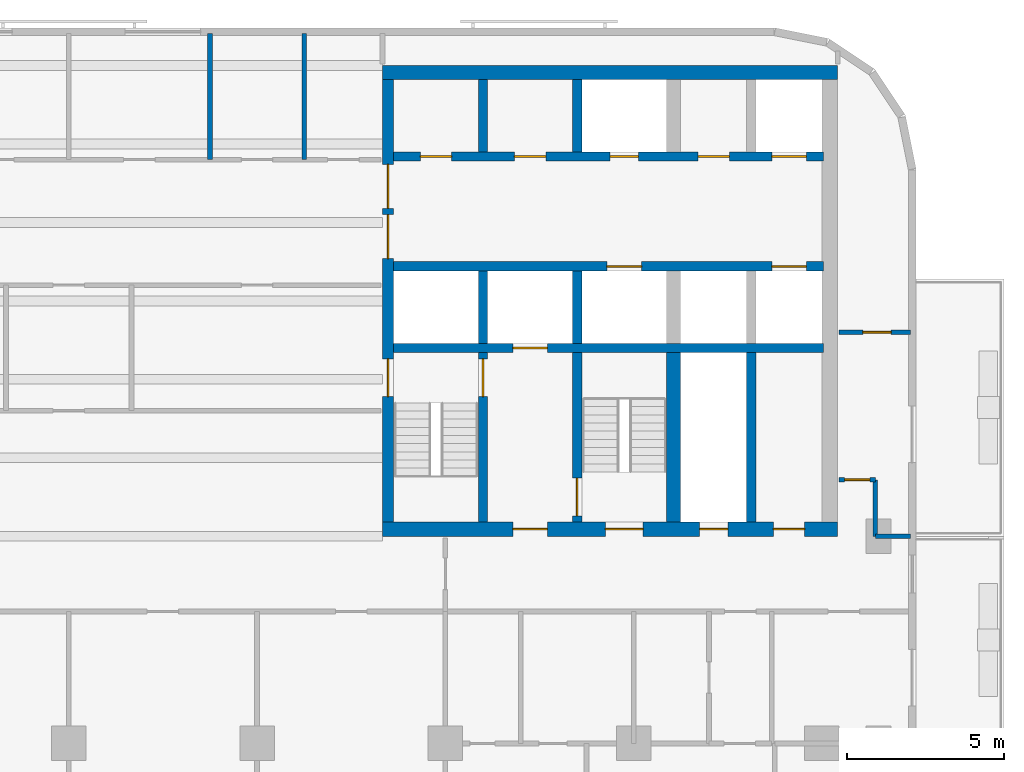
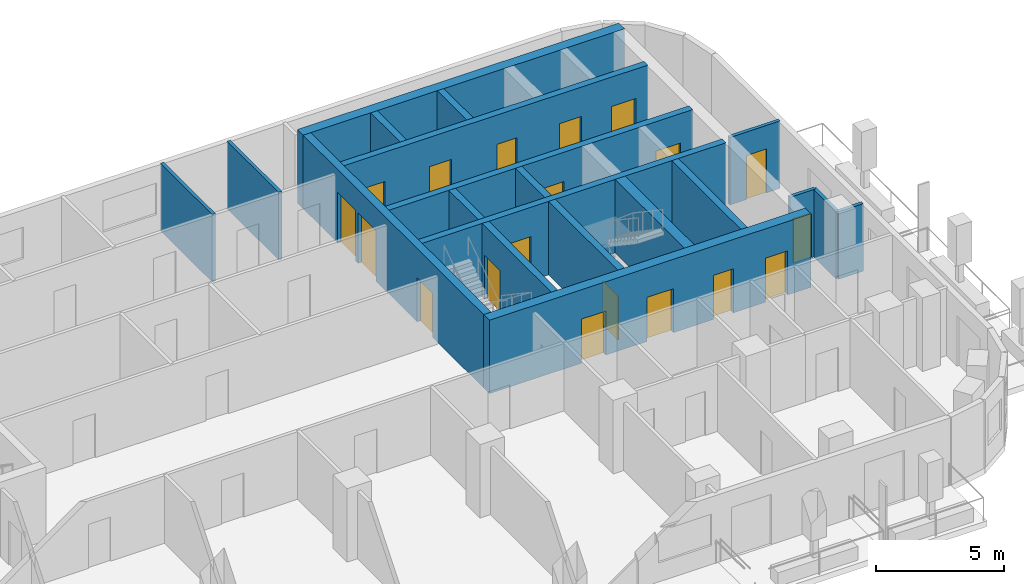
# One storey, part 6 of 11: 20 walls, 19 doors, 19 openings.
"""IFC4 building model written with IfcOpenShell, lengths in metres."""

from ifc_helpers import new_model, si_unit, direction, frame, frame_2d, origin, place, context, subcontext, project, spatial, rectangle, extrude, material, layer, layer_set, type_object, element, fill, save


model = new_model("IFC4")

# Units and contexts
model_context = context("Model", 3, precision=1e-05, world=origin(), true_north=direction((0.0, 1.0)))
body_context = subcontext(model_context, "Body", "Model", "MODEL_VIEW")
ifc_project = project(units=[si_unit("LENGTHUNIT", "METRE"), si_unit("AREAUNIT", "SQUARE_METRE"), si_unit("VOLUMEUNIT", "CUBIC_METRE"), si_unit("PLANEANGLEUNIT", "RADIAN"), si_unit("MASSUNIT", "GRAM", prefix="KILO")], contexts=[model_context])

# Site, building, storey
site_placement = place(None, origin())
site = spatial("IfcSite", under=ifc_project, at=site_placement, CompositionType="ELEMENT")
building_placement = place(site_placement, origin())
building = spatial("IfcBuilding", under=site, at=building_placement, Name="Torana Hotel and Residences", CompositionType="ELEMENT")
storey_placement = place(building_placement, frame((0.0, 0.0, 236.10009765625)))
storey = spatial("IfcBuildingStorey", under=building, at=storey_placement, Name="L62", CompositionType="ELEMENT", Elevation=236.10009765625)

# Wall, openings, doors
ifc_material_1 = material(Name="Concrete C70/85", Category="concrete")
ifc_layer_1 = layer(ifc_material_1, 0.300048828125)
ifc_layer_set_1 = layer_set([ifc_layer_1], Name="CORE WALL 300 C70/85")
wall_type_1 = type_object("IfcWallType", Name="CORE WALL 300 C70/85", PredefinedType="SHEAR", material=ifc_layer_set_1)
wall_1_placement = place(storey_placement, frame((10.35009765625, -2.89990234375, 0.0), z_axis=(0.0, 0.0, 1.0), x_axis=(1.0, 0.0, 0.0)))
wall_1 = element("IfcWall", 1, at=wall_1_placement, inside=storey, type_object=wall_type_1, Name="Core wall E row-N", PredefinedType="SHEAR", context=body_context, shape_type="SweptSolid", body=[
    extrude(rectangle(XDim=13.699951171875, YDim=0.300048828125, at=frame_2d((6.85009765625, 0.0))), origin(), (0.0, 0.0, 1.0), 3.5),
])
opening_1_placement = place(wall_1_placement, frame((12.050048828125, 0.0, 0.0)))
opening_1 = element("IfcOpeningElement", 2, at=opening_1_placement, cuts=wall_1, Name="Opening LD", PredefinedType="OPENING", context=body_context, shape_type="SweptSolid", body=[
    extrude(rectangle(XDim=1.10009765625, YDim=2.10009765625, at=frame_2d((0.550048828125, 1.050048828125))), frame((0.0, 0.159912109375, 0.0), z_axis=(0.0, -1.0, 0.0), x_axis=(1.0, 0.0, 0.0)), (0.0, 0.0, 1.0), 0.320068359375),
])
opening_2_placement = place(wall_1_placement, frame((6.89990234375, 0.0, 0.0)))
opening_2 = element("IfcOpeningElement", 3, at=opening_2_placement, cuts=wall_1, Name="Opening L62-21", PredefinedType="OPENING", context=body_context, shape_type="SweptSolid", body=[
    extrude(rectangle(XDim=0.89990234375, YDim=2.10009765625, at=frame_2d((0.449951171875, 1.050048828125))), frame((0.0, 0.159912109375, 0.0), z_axis=(0.0, -1.0, 0.0), x_axis=(1.0, 0.0, 0.0)), (0.0, 0.0, 1.0), 0.320068359375),
])
opening_3_placement = place(wall_1_placement, frame((0.85009765625, 0.0, 0.0)))
opening_3 = element("IfcOpeningElement", 4, at=opening_3_placement, cuts=wall_1, Name="Opening L62-22", PredefinedType="OPENING", context=body_context, shape_type="SweptSolid", body=[
    extrude(rectangle(XDim=1.0, YDim=2.10009765625, at=frame_2d((0.5, 1.050048828125))), frame((0.0, 0.159912109375, 0.0), z_axis=(0.0, -1.0, 0.0), x_axis=(1.0, 0.0, 0.0)), (0.0, 0.0, 1.0), 0.320068359375),
])
opening_4_placement = place(wall_1_placement, frame((3.85009765625, 0.0, 0.0)))
opening_4 = element("IfcOpeningElement", 5, at=opening_4_placement, cuts=wall_1, Name="Opening L62-23", PredefinedType="OPENING", context=body_context, shape_type="SweptSolid", body=[
    extrude(rectangle(XDim=1.0, YDim=2.10009765625, at=frame_2d((0.5, 1.050048828125))), frame((0.0, 0.159912109375, 0.0), z_axis=(0.0, -1.0, 0.0), x_axis=(1.0, 0.0, 0.0)), (0.0, 0.0, 1.0), 0.320068359375),
])
opening_5_placement = place(wall_1_placement, frame((9.699951171875, 0.0, 0.0)))
opening_5 = element("IfcOpeningElement", 6, at=opening_5_placement, cuts=wall_1, Name="Opening L62-24", PredefinedType="OPENING", context=body_context, shape_type="SweptSolid", body=[
    extrude(rectangle(XDim=1.0, YDim=2.10009765625, at=frame_2d((0.5, 1.050048828125))), frame((0.0, 0.159912109375, 0.0), z_axis=(0.0, -1.0, 0.0), x_axis=(1.0, 0.0, 0.0)), (0.0, 0.0, 1.0), 0.320068359375),
])
ifc_material_2 = material(Name="Steel S235", Category="steel")
door_type_1 = type_object("IfcDoorType", Name="CORE ROOM FIRE DOOR D14 1000x2100", OperationType="SINGLE_SWING_LEFT", PredefinedType="DOOR", material=ifc_material_2)
door_1_placement = place(opening_3_placement, origin())
door_1 = element("IfcDoor", 7, at=door_1_placement, inside=storey, type_object=door_type_1, Name="N0 door L62", OperationType="SINGLE_SWING_RIGHT", OverallHeight=2.10009765625, OverallWidth=1.0, PredefinedType="DOOR", context=body_context, shape_type="SweptSolid", body=[
    extrude(rectangle(XDim=1.0, YDim=2.10009765625, at=frame_2d((0.5, 1.050048828125))), frame((0.0, 0.02490234375, 0.0), z_axis=(0.0, -1.0, 0.0), x_axis=(1.0, 0.0, 0.0)), (0.0, 0.0, 1.0), 0.050048828125),
])
fill(opening_3, door_1)
door_2_placement = place(opening_4_placement, origin())
door_2 = element("IfcDoor", 8, at=door_2_placement, inside=storey, type_object=door_type_1, Name="N1 door L62", OperationType="SINGLE_SWING_RIGHT", OverallHeight=2.10009765625, OverallWidth=1.0, PredefinedType="DOOR", context=body_context, shape_type="SweptSolid", body=[
    extrude(rectangle(XDim=1.0, YDim=2.10009765625, at=frame_2d((0.5, 1.050048828125))), frame((0.0, 0.02490234375, 0.0), z_axis=(0.0, -1.0, 0.0), x_axis=(1.0, 0.0, 0.0)), (0.0, 0.0, 1.0), 0.050048828125),
])
fill(opening_4, door_2)
door_3_placement = place(opening_5_placement, origin())
door_3 = element("IfcDoor", 9, at=door_3_placement, inside=storey, type_object=door_type_1, Name="Freed-S2 door L62", OperationType="SINGLE_SWING_RIGHT", OverallHeight=2.10009765625, OverallWidth=1.0, PredefinedType="DOOR", context=body_context, shape_type="SweptSolid", body=[
    extrude(rectangle(XDim=1.0, YDim=2.10009765625, at=frame_2d((0.5, 1.050048828125))), frame((0.0, 0.02490234375, 0.0), z_axis=(0.0, -1.0, 0.0), x_axis=(1.0, 0.0, 0.0)), (0.0, 0.0, 1.0), 0.050048828125),
])
fill(opening_5, door_3)
ifc_material_3 = material(Name="Stainless steel 316", Category="steel")
door_type_2 = type_object("IfcDoorType", Name="LIFT LANDING DOOR LD 1100x2100", OperationType="DOUBLE_DOOR_SLIDING", PredefinedType="USERDEFINED", material=ifc_material_3)
door_4_placement = place(opening_1_placement, origin())
door_4 = element("IfcDoor", 10, at=door_4_placement, inside=storey, type_object=door_type_2, Name="Lift landing door M3 L62", ObjectType="LIFT LANDING DOOR", OperationType="DOUBLE_DOOR_SLIDING", OverallHeight=2.10009765625, OverallWidth=1.10009765625, PredefinedType="USERDEFINED", context=body_context, shape_type="SweptSolid", body=[
    extrude(rectangle(XDim=1.10009765625, YDim=2.10009765625, at=frame_2d((0.550048828125, 1.050048828125))), frame((0.0, 0.02490234375, 0.0), z_axis=(0.0, -1.0, 0.0), x_axis=(1.0, 0.0, 0.0)), (0.0, 0.0, 1.0), 0.050048828125),
])
fill(opening_1, door_4)
ifc_material_4 = material(Name="Steel S235", Category="steel")
door_type_3 = type_object("IfcDoorType", Name="RISER ACCESS DOOR D5 900x2100", OperationType="SINGLE_SWING_LEFT", PredefinedType="DOOR", material=ifc_material_4)
door_5_placement = place(opening_2_placement, origin())
door_5 = element("IfcDoor", 11, at=door_5_placement, inside=storey, type_object=door_type_3, Name="N2 door L62", OperationType="SINGLE_SWING_RIGHT", OverallHeight=2.10009765625, OverallWidth=0.89990234375, PredefinedType="DOOR", context=body_context, shape_type="SweptSolid", body=[
    extrude(rectangle(XDim=0.89990234375, YDim=2.10009765625, at=frame_2d((0.449951171875, 1.050048828125))), frame((0.0, 0.02490234375, 0.0), z_axis=(0.0, -1.0, 0.0), x_axis=(1.0, 0.0, 0.0)), (0.0, 0.0, 1.0), 0.050048828125),
])
fill(opening_2, door_5)

wall_2_placement = place(storey_placement, frame((10.35009765625, -6.39990234375, 0.0), z_axis=(0.0, 0.0, 1.0), x_axis=(1.0, 0.0, 0.0)))
wall_2 = element("IfcWall", 12, at=wall_2_placement, inside=storey, type_object=wall_type_1, Name="Core wall E row-S", PredefinedType="SHEAR", context=body_context, shape_type="SweptSolid", body=[
    extrude(rectangle(XDim=13.699951171875, YDim=0.300048828125, at=frame_2d((6.85009765625, 0.0))), origin(), (0.0, 0.0, 1.0), 3.5),
])
opening_6_placement = place(wall_2_placement, frame((12.050048828125, 0.0, 0.0)))
opening_6 = element("IfcOpeningElement", 13, at=opening_6_placement, cuts=wall_2, Name="Opening LD", PredefinedType="OPENING", context=body_context, shape_type="SweptSolid", body=[
    extrude(rectangle(XDim=1.10009765625, YDim=2.10009765625, at=frame_2d((0.550048828125, 1.050048828125))), frame((0.0, 0.159912109375, 0.0), z_axis=(0.0, -1.0, 0.0), x_axis=(1.0, 0.0, 0.0)), (0.0, 0.0, 1.0), 0.320068359375),
])
opening_7_placement = place(wall_2_placement, frame((6.800048828125, 0.0, 0.0)))
opening_7 = element("IfcOpeningElement", 14, at=opening_7_placement, cuts=wall_2, Name="Opening LD", PredefinedType="OPENING", context=body_context, shape_type="SweptSolid", body=[
    extrude(rectangle(XDim=1.10009765625, YDim=2.10009765625, at=frame_2d((0.550048828125, 1.050048828125))), frame((0.0, 0.159912109375, 0.0), z_axis=(0.0, -1.0, 0.0), x_axis=(1.0, 0.0, 0.0)), (0.0, 0.0, 1.0), 0.320068359375),
])
door_6_placement = place(opening_6_placement, origin())
door_6 = element("IfcDoor", 15, at=door_6_placement, inside=storey, type_object=door_type_2, Name="Lift landing door M4 L62", ObjectType="LIFT LANDING DOOR", OperationType="DOUBLE_DOOR_SLIDING", OverallHeight=2.10009765625, OverallWidth=1.10009765625, PredefinedType="USERDEFINED", context=body_context, shape_type="SweptSolid", body=[
    extrude(rectangle(XDim=1.10009765625, YDim=2.10009765625, at=frame_2d((0.550048828125, 1.050048828125))), frame((0.0, 0.02490234375, 0.0), z_axis=(0.0, -1.0, 0.0), x_axis=(1.0, 0.0, 0.0)), (0.0, 0.0, 1.0), 0.050048828125),
])
fill(opening_6, door_6)
door_7_placement = place(opening_7_placement, origin())
door_7 = element("IfcDoor", 16, at=door_7_placement, inside=storey, type_object=door_type_2, Name="Lift landing door SV2 L62", ObjectType="LIFT LANDING DOOR", OperationType="DOUBLE_DOOR_SLIDING", OverallHeight=2.10009765625, OverallWidth=1.10009765625, PredefinedType="USERDEFINED", context=body_context, shape_type="SweptSolid", body=[
    extrude(rectangle(XDim=1.10009765625, YDim=2.10009765625, at=frame_2d((0.550048828125, 1.050048828125))), frame((0.0, 0.02490234375, 0.0), z_axis=(0.0, -1.0, 0.0), x_axis=(1.0, 0.0, 0.0)), (0.0, 0.0, 1.0), 0.050048828125),
])
fill(opening_7, door_7)

# Wall, opening, door
wall_3_placement = place(storey_placement, frame((10.35009765625, -9.0, 0.0), z_axis=(0.0, 0.0, 1.0), x_axis=(1.0, 0.0, 0.0)))
wall_3 = element("IfcWall", 17, at=wall_3_placement, inside=storey, type_object=wall_type_1, Name="Core wall E band", PredefinedType="SHEAR", context=body_context, shape_type="SweptSolid", body=[
    extrude(rectangle(XDim=13.699951171875, YDim=0.300048828125, at=frame_2d((6.85009765625, 0.0))), origin(), (0.0, 0.0, 1.0), 3.5),
])
opening_8_placement = place(wall_3_placement, frame((3.800048828125, 0.0, 0.0)))
opening_8 = element("IfcOpeningElement", 18, at=opening_8_placement, cuts=wall_3, Name="Opening LD", PredefinedType="OPENING", context=body_context, shape_type="SweptSolid", body=[
    extrude(rectangle(XDim=1.10009765625, YDim=2.10009765625, at=frame_2d((0.550048828125, 1.050048828125))), frame((0.0, 0.159912109375, 0.0), z_axis=(0.0, -1.0, 0.0), x_axis=(1.0, 0.0, 0.0)), (0.0, 0.0, 1.0), 0.320068359375),
])
door_8_placement = place(opening_8_placement, origin())
door_8 = element("IfcDoor", 19, at=door_8_placement, inside=storey, type_object=door_type_2, Name="Lift landing door FF2 L62", ObjectType="LIFT LANDING DOOR", OperationType="DOUBLE_DOOR_SLIDING", OverallHeight=2.10009765625, OverallWidth=1.10009765625, PredefinedType="USERDEFINED", context=body_context, shape_type="SweptSolid", body=[
    extrude(rectangle(XDim=1.10009765625, YDim=2.10009765625, at=frame_2d((0.550048828125, 1.050048828125))), frame((0.0, 0.02490234375, 0.0), z_axis=(0.0, -1.0, 0.0), x_axis=(1.0, 0.0, 0.0)), (0.0, 0.0, 1.0), 0.050048828125),
])
fill(opening_8, door_8)

# Walls
for number, where, z_axis, x_axis, name in (
    (20, (13.199951171875, -2.75, 0.0), (0.0, 0.0, 1.0), (0.0, 1.0, 0.0), "Core wall E x3.05-N"),
    (21, (13.199951171875, -8.85009765625, 0.0), (0.0, 0.0, 1.0), (0.0, 1.0, 0.0), "Core wall E x3.05-S"),
):
    element("IfcWall", number, at=place(storey_placement, frame(where, z_axis=z_axis, x_axis=x_axis)), inside=storey, type_object=wall_type_1, Name=name, PredefinedType="SHEAR", context=body_context, shape_type="SweptSolid", body=[
        extrude(rectangle(XDim=2.300048828125, YDim=0.300048828125, at=frame_2d((1.14990234375, 0.0))), origin(), (0.0, 0.0, 1.0), 3.5),
    ])

# Wall, opening, door
wall_4_placement = place(storey_placement, frame((13.199951171875, -14.550048828125, 0.0), z_axis=(0.0, 0.0, 1.0), x_axis=(0.0, 1.0, 0.0)))
wall_4 = element("IfcWall", 22, at=wall_4_placement, inside=storey, type_object=wall_type_1, Name="Core wall E x3.05-band", PredefinedType="SHEAR", context=body_context, shape_type="SweptSolid", body=[
    extrude(rectangle(XDim=5.400146484375, YDim=0.300048828125, at=frame_2d((2.7001953125, 0.0))), origin(), (0.0, 0.0, 1.0), 3.5),
])
opening_9_placement = place(wall_4_placement, frame((4.0, 0.0, 0.0)))
opening_9 = element("IfcOpeningElement", 23, at=opening_9_placement, cuts=wall_4, Name="Opening L62-25", PredefinedType="OPENING", context=body_context, shape_type="SweptSolid", body=[
    extrude(rectangle(XDim=1.199951171875, YDim=2.10009765625, at=frame_2d((0.60009765625, 1.050048828125))), frame((0.0, 0.159912109375, 0.0), z_axis=(0.0, -1.0, 0.0), x_axis=(1.0, 0.0, 0.0)), (0.0, 0.0, 1.0), 0.320068359375),
])
ifc_material_5 = material(Name="Steel S235", Category="steel")
door_type_4 = type_object("IfcDoorType", Name="STAIR FIRE DOOR D3 1200x2100", OperationType="SINGLE_SWING_LEFT", PredefinedType="DOOR", material=ifc_material_5)
door_9_placement = place(opening_9_placement, origin())
door_9 = element("IfcDoor", 24, at=door_9_placement, inside=storey, type_object=door_type_4, Name="Stair-A-lobby door L62", OperationType="SINGLE_SWING_LEFT", OverallHeight=2.10009765625, OverallWidth=1.199951171875, PredefinedType="DOOR", context=body_context, shape_type="SweptSolid", body=[
    extrude(rectangle(XDim=1.199951171875, YDim=2.10009765625, at=frame_2d((0.60009765625, 1.050048828125))), frame((0.0, 0.02490234375, 0.0), z_axis=(0.0, -1.0, 0.0), x_axis=(1.0, 0.0, 0.0)), (0.0, 0.0, 1.0), 0.050048828125),
])
fill(opening_9, door_9)

# Walls
for number, where, z_axis, x_axis, name in (
    (25, (16.199951171875, -2.75, 0.0), (0.0, 0.0, 1.0), (0.0, 1.0, 0.0), "Core wall E x6.05-N"),
    (26, (16.199951171875, -8.85009765625, 0.0), (0.0, 0.0, 1.0), (0.0, 1.0, 0.0), "Core wall E x6.05-S"),
):
    element("IfcWall", number, at=place(storey_placement, frame(where, z_axis=z_axis, x_axis=x_axis)), inside=storey, type_object=wall_type_1, Name=name, PredefinedType="SHEAR", context=body_context, shape_type="SweptSolid", body=[
        extrude(rectangle(XDim=2.300048828125, YDim=0.300048828125, at=frame_2d((1.14990234375, 0.0))), origin(), (0.0, 0.0, 1.0), 3.5),
    ])

# Wall, opening, door
wall_5_placement = place(storey_placement, frame((16.199951171875, -14.550048828125, 0.0), z_axis=(0.0, 0.0, 1.0), x_axis=(0.0, 1.0, 0.0)))
wall_5 = element("IfcWall", 27, at=wall_5_placement, inside=storey, type_object=wall_type_1, Name="Core wall E x6.05-band", PredefinedType="SHEAR", context=body_context, shape_type="SweptSolid", body=[
    extrude(rectangle(XDim=5.400146484375, YDim=0.300048828125, at=frame_2d((2.7001953125, 0.0))), origin(), (0.0, 0.0, 1.0), 3.5),
])
opening_10_placement = place(wall_5_placement, frame((0.199951171875, 0.0, 0.0)))
opening_10 = element("IfcOpeningElement", 28, at=opening_10_placement, cuts=wall_5, Name="Opening L62-26", PredefinedType="OPENING", context=body_context, shape_type="SweptSolid", body=[
    extrude(rectangle(XDim=1.199951171875, YDim=2.10009765625, at=frame_2d((0.60009765625, 1.050048828125))), frame((0.0, 0.159912109375, 0.0), z_axis=(0.0, -1.0, 0.0), x_axis=(1.0, 0.0, 0.0)), (0.0, 0.0, 1.0), 0.320068359375),
])
door_10_placement = place(opening_10_placement, frame((0.60009765625, 0.0, 0.0), z_axis=(0.0, 0.0, 1.0), x_axis=(-1.0, 0.0, 0.0)))
door_10 = element("IfcDoor", 29, at=door_10_placement, inside=storey, type_object=door_type_4, Name="Stair-B-lobby door L62", OperationType="SINGLE_SWING_LEFT", OverallHeight=2.10009765625, OverallWidth=1.199951171875, PredefinedType="DOOR", context=body_context, shape_type="SweptSolid", body=[
    extrude(rectangle(XDim=1.199951171875, YDim=2.10009765625, at=frame_2d((0.0, 1.050048828125))), frame((0.0, -0.02490234375, 0.0), z_axis=(0.0, 1.0, 0.0), x_axis=(-1.0, 0.0, 0.0)), (0.0, 0.0, 1.0), 0.050048828125),
])
fill(opening_10, door_10)

# Wall
wall_6_placement = place(storey_placement, frame((21.75, -14.550048828125, 0.0), z_axis=(0.0, 0.0, 1.0), x_axis=(0.0, 1.0, 0.0)))
element("IfcWall", 30, at=wall_6_placement, inside=storey, type_object=wall_type_1, Name="Core wall E mm-band", PredefinedType="SHEAR", context=body_context, shape_type="SweptSolid", body=[
    extrude(rectangle(XDim=5.400146484375, YDim=0.300048828125, at=frame_2d((2.7001953125, 0.0))), origin(), (0.0, 0.0, 1.0), 3.5),
])

# Wall, openings, doors
ifc_material_6 = material(Name="Concrete C70/85", Category="concrete")
ifc_layer_2 = layer(ifc_material_6, 0.35009765625)
ifc_layer_set_2 = layer_set([ifc_layer_2], Name="CORE WALL 350 C70/85")
wall_type_2 = type_object("IfcWallType", Name="CORE WALL 350 C70/85", PredefinedType="SHEAR", material=ifc_layer_set_2)
wall_7_placement = place(storey_placement, frame((10.175048828125, -14.550048828125, 0.0), z_axis=(0.0, 0.0, 1.0), x_axis=(0.0, 1.0, 0.0)))
wall_7 = element("IfcWall", 31, at=wall_7_placement, inside=storey, type_object=wall_type_2, Name="Core wall E arch", PredefinedType="SHEAR", context=body_context, shape_type="SweptSolid", body=[
    extrude(rectangle(XDim=14.10009765625, YDim=0.35009765625, at=frame_2d((7.050048828125, 0.0))), origin(), (0.0, 0.0, 1.0), 3.5),
])
opening_11_placement = place(wall_7_placement, frame((8.39990234375, 0.0, 0.0)))
opening_11 = element("IfcOpeningElement", 32, at=opening_11_placement, cuts=wall_7, Name="Opening L62-14", PredefinedType="OPENING", context=body_context, shape_type="SweptSolid", body=[
    extrude(rectangle(XDim=1.39990234375, YDim=2.39990234375, at=frame_2d((0.699951171875, 1.199951171875))), frame((0.0, 0.18505859375, 0.0), z_axis=(0.0, -1.0, 0.0), x_axis=(1.0, 0.0, 0.0)), (0.0, 0.0, 1.0), 0.3701171875),
])
opening_12_placement = place(wall_7_placement, frame((10.0, 0.0, 0.0)))
opening_12 = element("IfcOpeningElement", 33, at=opening_12_placement, cuts=wall_7, Name="Opening L62-15", PredefinedType="OPENING", context=body_context, shape_type="SweptSolid", body=[
    extrude(rectangle(XDim=1.39990234375, YDim=2.39990234375, at=frame_2d((0.699951171875, 1.199951171875))), frame((0.0, 0.18505859375, 0.0), z_axis=(0.0, -1.0, 0.0), x_axis=(1.0, 0.0, 0.0)), (0.0, 0.0, 1.0), 0.3701171875),
])
opening_13_placement = place(wall_7_placement, frame((4.0, 0.0, 0.0)))
opening_13 = element("IfcOpeningElement", 34, at=opening_13_placement, cuts=wall_7, Name="Opening L62-16", PredefinedType="OPENING", context=body_context, shape_type="SweptSolid", body=[
    extrude(rectangle(XDim=1.199951171875, YDim=2.10009765625, at=frame_2d((0.60009765625, 1.050048828125))), frame((0.0, 0.18505859375, 0.0), z_axis=(0.0, -1.0, 0.0), x_axis=(1.0, 0.0, 0.0)), (0.0, 0.0, 1.0), 0.3701171875),
])
ifc_material_7 = material(Name="Steel S235", Category="steel")
door_type_5 = type_object("IfcDoorType", Name="LOBBY FIRE DOOR D4 1400x2400", OperationType="DOUBLE_DOOR_SINGLE_SWING", PredefinedType="DOOR", material=ifc_material_7)
door_11_placement = place(opening_11_placement, origin())
door_11 = element("IfcDoor", 35, at=door_11_placement, inside=storey, type_object=door_type_5, Name="Lobby-1 door L62", OperationType="DOUBLE_DOOR_SINGLE_SWING", OverallHeight=2.39990234375, OverallWidth=1.39990234375, PredefinedType="DOOR", context=body_context, shape_type="SweptSolid", body=[
    extrude(rectangle(XDim=1.39990234375, YDim=2.39990234375, at=frame_2d((0.699951171875, 1.199951171875))), frame((0.0, 0.02490234375, 0.0), z_axis=(0.0, -1.0, 0.0), x_axis=(1.0, 0.0, 0.0)), (0.0, 0.0, 1.0), 0.050048828125),
])
fill(opening_11, door_11)
door_12_placement = place(opening_12_placement, origin())
door_12 = element("IfcDoor", 36, at=door_12_placement, inside=storey, type_object=door_type_5, Name="Lobby-2 door L62", OperationType="DOUBLE_DOOR_SINGLE_SWING", OverallHeight=2.39990234375, OverallWidth=1.39990234375, PredefinedType="DOOR", context=body_context, shape_type="SweptSolid", body=[
    extrude(rectangle(XDim=1.39990234375, YDim=2.39990234375, at=frame_2d((0.699951171875, 1.199951171875))), frame((0.0, 0.02490234375, 0.0), z_axis=(0.0, -1.0, 0.0), x_axis=(1.0, 0.0, 0.0)), (0.0, 0.0, 1.0), 0.050048828125),
])
fill(opening_12, door_12)
door_13_placement = place(opening_13_placement, frame((0.60009765625, 0.0, 0.0), z_axis=(0.0, 0.0, 1.0), x_axis=(-1.0, 0.0, 0.0)))
door_13 = element("IfcDoor", 37, at=door_13_placement, inside=storey, type_object=door_type_4, Name="Stair-A door L62", OperationType="SINGLE_SWING_RIGHT", OverallHeight=2.10009765625, OverallWidth=1.199951171875, PredefinedType="DOOR", context=body_context, shape_type="SweptSolid", body=[
    extrude(rectangle(XDim=1.199951171875, YDim=2.10009765625, at=frame_2d((0.0, 1.050048828125))), frame((0.0, -0.02490234375, 0.0), z_axis=(0.0, 1.0, 0.0), x_axis=(-1.0, 0.0, 0.0)), (0.0, 0.0, 1.0), 0.050048828125),
])
fill(opening_13, door_13)

# Wall
ifc_material_8 = material(Name="Concrete C70/85", Category="concrete")
ifc_layer_3 = layer(ifc_material_8, 0.449951171875)
ifc_layer_set_3 = layer_set([ifc_layer_3], Name="CORE WALL 450 C70/85")
wall_type_3 = type_object("IfcWallType", Name="CORE WALL 450 C70/85", PredefinedType="SHEAR", material=ifc_layer_set_3)
wall_8_placement = place(storey_placement, frame((10.0, -0.22509765625, 0.0), z_axis=(0.0, 0.0, 1.0), x_axis=(1.0, 0.0, 0.0)))
element("IfcWall", 38, at=wall_8_placement, inside=storey, type_object=wall_type_3, Name="Core wall E rear", PredefinedType="SHEAR", context=body_context, shape_type="SweptSolid", body=[
    extrude(rectangle(XDim=14.5, YDim=0.449951171875, at=frame_2d((7.25, 0.0))), origin(), (0.0, 0.0, 1.0), 3.5),
])

# Wall, openings, doors
wall_9_placement = place(storey_placement, frame((10.0, -14.77490234375, 0.0), z_axis=(0.0, 0.0, 1.0), x_axis=(1.0, 0.0, 0.0)))
wall_9 = element("IfcWall", 39, at=wall_9_placement, inside=storey, type_object=wall_type_3, Name="Core wall E front", PredefinedType="SHEAR", context=body_context, shape_type="SweptSolid", body=[
    extrude(rectangle(XDim=14.5, YDim=0.449951171875, at=frame_2d((7.25, 0.0))), origin(), (0.0, 0.0, 1.0), 3.5),
])
opening_14_placement = place(wall_9_placement, frame((7.10009765625, 0.0, 0.0)))
opening_14 = element("IfcOpeningElement", 40, at=opening_14_placement, cuts=wall_9, Name="Opening L62-17", PredefinedType="OPENING", context=body_context, shape_type="SweptSolid", body=[
    extrude(rectangle(XDim=1.199951171875, YDim=2.10009765625, at=frame_2d((0.60009765625, 1.050048828125))), frame((0.0, 0.23486328125, 0.0), z_axis=(0.0, -1.0, 0.0), x_axis=(1.0, 0.0, 0.0)), (0.0, 0.0, 1.0), 0.469970703125),
])
opening_15_placement = place(wall_9_placement, frame((4.14990234375, 0.0, 0.0)))
opening_15 = element("IfcOpeningElement", 41, at=opening_15_placement, cuts=wall_9, Name="Opening L62-18", PredefinedType="OPENING", context=body_context, shape_type="SweptSolid", body=[
    extrude(rectangle(XDim=1.10009765625, YDim=2.10009765625, at=frame_2d((0.550048828125, 1.050048828125))), frame((0.0, 0.23486328125, 0.0), z_axis=(0.0, -1.0, 0.0), x_axis=(1.0, 0.0, 0.0)), (0.0, 0.0, 1.0), 0.469970703125),
])
opening_16_placement = place(wall_9_placement, frame((10.10009765625, 0.0, 0.0)))
opening_16 = element("IfcOpeningElement", 42, at=opening_16_placement, cuts=wall_9, Name="Opening L62-19", PredefinedType="OPENING", context=body_context, shape_type="SweptSolid", body=[
    extrude(rectangle(XDim=0.89990234375, YDim=2.10009765625, at=frame_2d((0.449951171875, 1.050048828125))), frame((0.0, 0.23486328125, 0.0), z_axis=(0.0, -1.0, 0.0), x_axis=(1.0, 0.0, 0.0)), (0.0, 0.0, 1.0), 0.469970703125),
])
opening_17_placement = place(wall_9_placement, frame((12.449951171875, 0.0, 0.0)))
opening_17 = element("IfcOpeningElement", 43, at=opening_17_placement, cuts=wall_9, Name="Opening L62-20", PredefinedType="OPENING", context=body_context, shape_type="SweptSolid", body=[
    extrude(rectangle(XDim=1.0, YDim=2.10009765625, at=frame_2d((0.5, 1.050048828125))), frame((0.0, 0.23486328125, 0.0), z_axis=(0.0, -1.0, 0.0), x_axis=(1.0, 0.0, 0.0)), (0.0, 0.0, 1.0), 0.469970703125),
])
door_14_placement = place(opening_17_placement, origin())
door_14 = element("IfcDoor", 44, at=door_14_placement, inside=storey, type_object=door_type_1, Name="M-Room door L62", OperationType="SINGLE_SWING_RIGHT", OverallHeight=2.10009765625, OverallWidth=1.0, PredefinedType="DOOR", context=body_context, shape_type="SweptSolid", body=[
    extrude(rectangle(XDim=1.0, YDim=2.10009765625, at=frame_2d((0.5, 1.050048828125))), frame((0.0, 0.02490234375, 0.0), z_axis=(0.0, -1.0, 0.0), x_axis=(1.0, 0.0, 0.0)), (0.0, 0.0, 1.0), 0.050048828125),
])
fill(opening_17, door_14)
ifc_material_9 = material(Name="Steel S235", Category="steel")
door_type_6 = type_object("IfcDoorType", Name="FIRE-FIGHTING LOBBY DOOR D8 1100x2100", OperationType="SINGLE_SWING_LEFT", PredefinedType="DOOR", material=ifc_material_9)
door_15_placement = place(opening_15_placement, origin())
door_15 = element("IfcDoor", 45, at=door_15_placement, inside=storey, type_object=door_type_6, Name="FF-lobby door L62", OperationType="SINGLE_SWING_RIGHT", OverallHeight=2.10009765625, OverallWidth=1.10009765625, PredefinedType="DOOR", context=body_context, shape_type="SweptSolid", body=[
    extrude(rectangle(XDim=1.10009765625, YDim=2.10009765625, at=frame_2d((0.550048828125, 1.050048828125))), frame((0.0, 0.02490234375, 0.0), z_axis=(0.0, -1.0, 0.0), x_axis=(1.0, 0.0, 0.0)), (0.0, 0.0, 1.0), 0.050048828125),
])
fill(opening_15, door_15)
door_16_placement = place(opening_16_placement, origin())
door_16 = element("IfcDoor", 46, at=door_16_placement, inside=storey, type_object=door_type_3, Name="M-Riser door L62", OperationType="SINGLE_SWING_RIGHT", OverallHeight=2.10009765625, OverallWidth=0.89990234375, PredefinedType="DOOR", context=body_context, shape_type="SweptSolid", body=[
    extrude(rectangle(XDim=0.89990234375, YDim=2.10009765625, at=frame_2d((0.449951171875, 1.050048828125))), frame((0.0, 0.02490234375, 0.0), z_axis=(0.0, -1.0, 0.0), x_axis=(1.0, 0.0, 0.0)), (0.0, 0.0, 1.0), 0.050048828125),
])
fill(opening_16, door_16)
door_17_placement = place(opening_14_placement, origin())
door_17 = element("IfcDoor", 47, at=door_17_placement, inside=storey, type_object=door_type_4, Name="Stair-B door L62", OperationType="SINGLE_SWING_RIGHT", OverallHeight=2.10009765625, OverallWidth=1.199951171875, PredefinedType="DOOR", context=body_context, shape_type="SweptSolid", body=[
    extrude(rectangle(XDim=1.199951171875, YDim=2.10009765625, at=frame_2d((0.60009765625, 1.050048828125))), frame((0.0, 0.02490234375, 0.0), z_axis=(0.0, -1.0, 0.0), x_axis=(1.0, 0.0, 0.0)), (0.0, 0.0, 1.0), 0.050048828125),
])
fill(opening_14, door_17)

# Walls
wall_10_placement = place(storey_placement, frame((19.27490234375, -14.550048828125, 0.0), z_axis=(0.0, 0.0, 1.0), x_axis=(0.0, 1.0, 0.0)))
element("IfcWall", 48, at=wall_10_placement, inside=storey, type_object=wall_type_3, Name="Core wall E hm-band", PredefinedType="SHEAR", context=body_context, shape_type="SweptSolid", body=[
    extrude(rectangle(XDim=5.400146484375, YDim=0.449951171875, at=frame_2d((2.7001953125, 0.0))), origin(), (0.0, 0.0, 1.0), 3.5),
])
ifc_material_10 = material(Name="Gypsum plaster")
ifc_layer_4 = layer(ifc_material_10, 0.014892578125, Name="Plaster", Category="finish")
ifc_material_11 = material(Name="Concrete blockwork", Category="masonry")
ifc_layer_5 = layer(ifc_material_11, 0.1201171875, Name="Blockwork", Category="structure")
ifc_layer_6 = layer(ifc_material_10, 0.014892578125, Name="Plaster", Category="finish")
ifc_layer_set_4 = layer_set([ifc_layer_4, ifc_layer_5, ifc_layer_6], Name="FIRE PARTITION 150 BLOCKWORK")
wall_type_4 = type_object("IfcWallType", Name="FIRE PARTITION 150 BLOCKWORK", PredefinedType="PARTITIONING", material=ifc_layer_set_4)
wall_11_placement = place(storey_placement, frame((25.699951171875, -15.0, 0.0), z_axis=(0.0, 0.0, 1.0), x_axis=(0.0, 1.0, 0.0)))
element("IfcWall", 49, at=wall_11_placement, inside=storey, type_object=wall_type_4, Name="Partition L62", PredefinedType="PARTITIONING", context=body_context, shape_type="SweptSolid", body=[
    extrude(rectangle(XDim=1.800048828125, YDim=0.14990234375, at=frame_2d((0.89990234375, 0.0))), origin(), (0.0, 0.0, 1.0), 3.219970703125),
])
wall_12_placement = place(storey_placement, frame((25.699951171875, -15.0, 0.0), z_axis=(0.0, 0.0, 1.0), x_axis=(1.0, 0.0, 0.0)))
element("IfcWall", 50, at=wall_12_placement, inside=storey, type_object=wall_type_4, Name="Partition L62", PredefinedType="PARTITIONING", context=body_context, shape_type="SweptSolid", body=[
    extrude(rectangle(XDim=1.1201171875, YDim=0.14990234375, at=frame_2d((0.56005859375, 0.0))), origin(), (0.0, 0.0, 1.0), 3.219970703125),
])

# Wall, opening, door
wall_13_placement = place(storey_placement, frame((24.550048828125, -13.199951171875, 0.0), z_axis=(0.0, 0.0, 1.0), x_axis=(1.0, 0.0, 0.0)))
wall_13 = element("IfcWall", 51, at=wall_13_placement, inside=storey, type_object=wall_type_4, Name="Partition L62", PredefinedType="PARTITIONING", context=body_context, shape_type="SweptSolid", body=[
    extrude(rectangle(XDim=1.14990234375, YDim=0.14990234375, at=frame_2d((0.574951171875, 0.0))), origin(), (0.0, 0.0, 1.0), 3.219970703125),
])
opening_18_placement = place(wall_13_placement, frame((0.175048828125, 0.0, 0.0)))
opening_18 = element("IfcOpeningElement", 52, at=opening_18_placement, cuts=wall_13, Name="Opening L62-35", PredefinedType="OPENING", context=body_context, shape_type="SweptSolid", body=[
    extrude(rectangle(XDim=0.800048828125, YDim=2.10009765625, at=frame_2d((0.39990234375, 1.050048828125))), frame((0.0, 0.0849609375, 0.0), z_axis=(0.0, -1.0, 0.0), x_axis=(1.0, 0.0, 0.0)), (0.0, 0.0, 1.0), 0.169921875),
])
ifc_material_12 = material(Name="Steel S235", Category="steel")
door_type_7 = type_object("IfcDoorType", Name="STORE FIRE DOOR D16 800x2100", OperationType="SINGLE_SWING_LEFT", PredefinedType="DOOR", material=ifc_material_12)
door_18_placement = place(opening_18_placement, origin())
door_18 = element("IfcDoor", 53, at=door_18_placement, inside=storey, type_object=door_type_7, Name="Door L62", OperationType="SINGLE_SWING_RIGHT", OverallHeight=2.10009765625, OverallWidth=0.800048828125, PredefinedType="DOOR", context=body_context, shape_type="SweptSolid", body=[
    extrude(rectangle(XDim=0.800048828125, YDim=2.10009765625, at=frame_2d((0.39990234375, 1.050048828125))), frame((0.0, 0.02490234375, 0.0), z_axis=(0.0, -1.0, 0.0), x_axis=(1.0, 0.0, 0.0)), (0.0, 0.0, 1.0), 0.050048828125),
])
fill(opening_18, door_18)

# Walls
ifc_material_13 = material(Name="Ceramic tile on adhesive")
ifc_layer_7 = layer(ifc_material_13, 0.010009765625, Name="Wall tile", Category="finish")
ifc_material_14 = material(Name="Cement render")
ifc_layer_8 = layer(ifc_material_14, 0.010009765625, Name="Render", Category="finish")
ifc_layer_9 = layer(ifc_material_11, 0.110107421875, Name="Blockwork", Category="structure")
ifc_layer_10 = layer(ifc_material_14, 0.010009765625, Name="Render", Category="finish")
ifc_layer_11 = layer(ifc_material_13, 0.010009765625, Name="Wall tile", Category="finish")
ifc_layer_set_5 = layer_set([ifc_layer_7, ifc_layer_8, ifc_layer_9, ifc_layer_10, ifc_layer_11], Name="WC PARTITION 150")
wall_type_5 = type_object("IfcWallType", Name="WC PARTITION 150", PredefinedType="PLUMBINGWALL", material=ifc_layer_set_5)
for number, where, z_axis, x_axis, name in (
    (54, (7.5, -3.0, 0.0), (0.0, 0.0, 1.0), (0.0, 1.0, 0.0), "Partition L62"),
    (55, (4.5, -3.0, 0.0), (0.0, 0.0, 1.0), (0.0, 1.0, 0.0), "Partition L62"),
):
    element("IfcWall", number, at=place(storey_placement, frame(where, z_axis=z_axis, x_axis=x_axis)), inside=storey, type_object=wall_type_5, Name=name, PredefinedType="PLUMBINGWALL", context=body_context, shape_type="SweptSolid", body=[
        extrude(rectangle(XDim=4.02001953125, YDim=0.14990234375, at=frame_2d((2.010009765625, 0.0))), origin(), (0.0, 0.0, 1.0), 3.219970703125),
    ])

# Wall, opening, door
wall_14_placement = place(storey_placement, frame((24.550048828125, -8.5, 0.0), z_axis=(0.0, 0.0, 1.0), x_axis=(1.0, 0.0, 0.0)))
wall_14 = element("IfcWall", 56, at=wall_14_placement, inside=storey, type_object=wall_type_5, Name="Partition L62", PredefinedType="PLUMBINGWALL", context=body_context, shape_type="SweptSolid", body=[
    extrude(rectangle(XDim=2.27001953125, YDim=0.14990234375, at=frame_2d((1.135009765625, 0.0))), origin(), (0.0, 0.0, 1.0), 3.219970703125),
])
opening_19_placement = place(wall_14_placement, frame((0.75, 0.0, 0.0)))
opening_19 = element("IfcOpeningElement", 57, at=opening_19_placement, cuts=wall_14, Name="Opening L62-63", PredefinedType="OPENING", context=body_context, shape_type="SweptSolid", body=[
    extrude(rectangle(XDim=0.89990234375, YDim=2.10009765625, at=frame_2d((0.449951171875, 1.050048828125))), frame((0.0, 0.0849609375, 0.0), z_axis=(0.0, -1.0, 0.0), x_axis=(1.0, 0.0, 0.0)), (0.0, 0.0, 1.0), 0.169921875),
])
ifc_material_15 = material(Name="Timber door, oiled ash", Category="wood")
door_type_8 = type_object("IfcDoorType", Name="ROOM DOOR D7 900x2100", OperationType="SINGLE_SWING_LEFT", PredefinedType="DOOR", material=ifc_material_15)
door_19_placement = place(opening_19_placement, origin())
door_19 = element("IfcDoor", 58, at=door_19_placement, inside=storey, type_object=door_type_8, Name="Door L62", OperationType="SINGLE_SWING_LEFT", OverallHeight=2.10009765625, OverallWidth=0.89990234375, PredefinedType="DOOR", context=body_context, shape_type="SweptSolid", body=[
    extrude(rectangle(XDim=0.89990234375, YDim=2.10009765625, at=frame_2d((0.449951171875, 1.050048828125))), frame((0.0, 0.02490234375, 0.0), z_axis=(0.0, -1.0, 0.0), x_axis=(1.0, 0.0, 0.0)), (0.0, 0.0, 1.0), 0.050048828125),
])
fill(opening_19, door_19)

save(model, "model.ifc")
